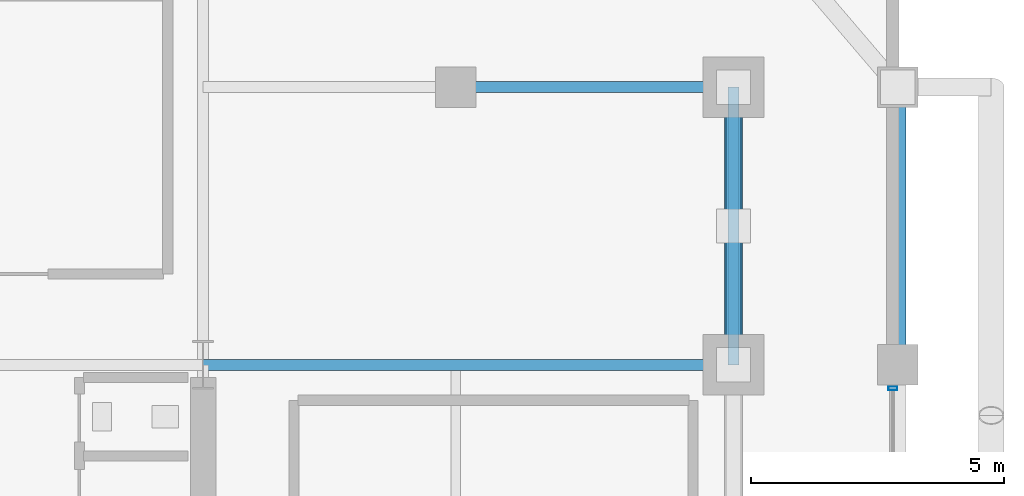
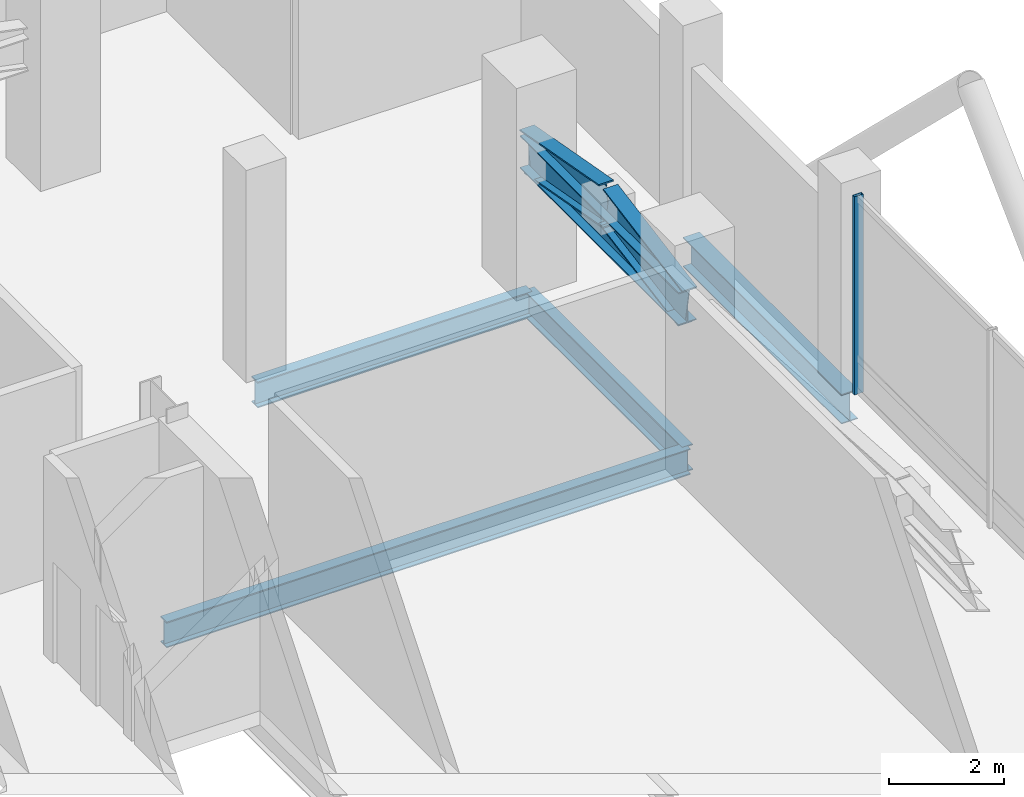
# One storey, part 17 of 22: 4 beams, 4 members, 1 element without a shape of its own.
"""IFC4 building model written with IfcOpenShell, lengths in metres."""

from ifc_helpers import new_model, si_unit, direction, frame, origin, origin_2d, place, context, subcontext, project, spatial, hollow_rectangle, i_section, extrude, material, layer, layer_set, material_profile, profile_set, type_object, element, aggregate, save


model = new_model("IFC4")

# Units and contexts
model_context = context("Model", 3, precision=1e-05, world=origin(), true_north=direction((0.0, 1.0)))
body_context = subcontext(model_context, "Body", "Model", "MODEL_VIEW")
ifc_project = project(units=[si_unit("LENGTHUNIT", "METRE"), si_unit("AREAUNIT", "SQUARE_METRE"), si_unit("VOLUMEUNIT", "CUBIC_METRE"), si_unit("PLANEANGLEUNIT", "RADIAN"), si_unit("MASSUNIT", "GRAM", prefix="KILO")], contexts=[model_context])

# Site, building, storey
site_placement = place(None, origin())
site = spatial("IfcSite", under=ifc_project, at=site_placement, CompositionType="ELEMENT")
building_placement = place(site_placement, origin())
building = spatial("IfcBuilding", under=site, at=building_placement, Name="Barlavira Tower and Art Museum", CompositionType="ELEMENT")
storey_placement = place(building_placement, frame((0.0, 0.0, 120.60009765625)))
storey = spatial("IfcBuildingStorey", under=building, at=storey_placement, Name="L30", CompositionType="ELEMENT", Elevation=120.60009765625)

# Members
ifc_material_1 = material(Name="Steel S355", Category="steel")
ifc_material_profile_1 = material_profile(ifc_material_1, i_section(OverallWidth=0.35595703125, OverallDepth=0.695068359375, WebThickness=0.014892578125, FlangeThickness=0.023681640625, at=origin_2d()), Name="W690x192.0")
ifc_profile_set_1 = profile_set([ifc_material_profile_1], Name="Steel S355")
member_type_1 = type_object("IfcMemberType", Name="Belt Truss Chord Member W690x192 Steel S355", PredefinedType="CHORD", material=ifc_profile_set_1)
member_1_placement = place(storey_placement, frame((17.0, 7.5, 2.64990234375), z_axis=(0.0, 1.0, 0.0), x_axis=(-1.0, 0.0, 0.0)))
element("IfcMember", 1, at=member_1_placement, inside=storey, type_object=member_type_1, Name="L30 Belt Truss Bottom Chord BE3", PredefinedType="CHORD", context=body_context, shape_type="SweptSolid", body=[
    extrude(i_section(OverallWidth=0.35595703125, OverallDepth=0.695068359375, WebThickness=0.014892578125, FlangeThickness=0.023681640625, at=origin_2d()), origin(), (0.0, 0.0, 1.0), 5.5),
])
ifc_material_profile_2 = material_profile(ifc_material_1, i_section(OverallWidth=0.2939453125, OverallDepth=0.85107421875, WebThickness=0.017333984375, FlangeThickness=0.0283203125, at=origin_2d()), Name="W840x251.0")
ifc_profile_set_2 = profile_set([ifc_material_profile_2], Name="Steel S355")
member_type_2 = type_object("IfcMemberType", Name="Belt Truss Diagonal Brace W840x251 Steel S355", PredefinedType="BRACE", material=ifc_profile_set_2)
for number, where, z_axis, x_axis, name in (
    (2, (17.0, 7.5, 2.64990234375), (0.0, 0.9838699101, 0.1788854382), (-1.0, 0.0, 0.0), "L30 Belt Truss Diagonal BE3-1"),
    (3, (17.0, 10.25, 3.14990234375), (0.0, 0.9838699101, -0.1788854382), (-1.0, 0.0, 0.0), "L30 Belt Truss Diagonal BE3-2"),
):
    element("IfcMember", number, at=place(storey_placement, frame(where, z_axis=z_axis, x_axis=x_axis)), inside=storey, type_object=member_type_2, Name=name, PredefinedType="BRACE", context=body_context, shape_type="SweptSolid", body=[
        extrude(i_section(OverallWidth=0.2939453125, OverallDepth=0.85107421875, WebThickness=0.017333984375, FlangeThickness=0.0283203125, at=origin_2d()), origin(), (0.0, 0.0, 1.0), 2.795166015625),
    ])

# Curtain wall, member
ifc_material_2 = material(Name="Low-iron coastal laminated glass", Category="glass")
ifc_layer = layer(ifc_material_2, 0.18994140625, Name="Low-iron coastal laminated glass")
ifc_layer_set = layer_set([ifc_layer], Name="Low-iron coastal laminated glass")
curtain_wall_type = type_object("IfcCurtainWallType", Name="Pale-Metal Unitised Curtain Wall Zone 2", PredefinedType="NOTDEFINED", material=ifc_layer_set)
curtain_wall_placement = place(storey_placement, origin())
curtain_wall = element("IfcCurtainWall", 4, at=curtain_wall_placement, inside=storey, type_object=curtain_wall_type, Name="L30 Curtain Wall CW2-L30-E-B3", PredefinedType="NOTDEFINED")
ifc_material_3 = material(Name="Pale anodised aluminium", Category="aluminium")
ifc_material_profile_3 = material_profile(ifc_material_3, hollow_rectangle(XDim=0.06494140625, YDim=0.179931640625, WallThickness=0.00390625, at=origin_2d()), Name="ALU-MULL 65x180x4")
ifc_profile_set_3 = profile_set([ifc_material_profile_3], Name="Pale anodised aluminium")
member_type_3 = type_object("IfcMemberType", Name="Curtain Wall Pale-Metal Mullion 65x180", PredefinedType="MULLION", material=ifc_profile_set_3)
member_2_placement = place(storey_placement, frame((20.14990234375, 7.034912109375, 0.0), z_axis=(0.0, 0.0, 1.0), x_axis=(0.0, 1.0, 0.0)))
member_2 = element("IfcMember", 5, at=member_2_placement, type_object=member_type_3, Name="CW2-L30-E-B3 Mullion 3", PredefinedType="MULLION", context=body_context, shape_type="SweptSolid", body=[
    extrude(hollow_rectangle(XDim=0.06494140625, YDim=0.179931640625, WallThickness=0.00390625, at=origin_2d()), origin(), (0.0, 0.0, 1.0), 4.199951171875),
])
aggregate(curtain_wall, [member_2])

# Beams
ifc_material_profile_4 = material_profile(ifc_material_1, i_section(OverallWidth=0.327880859375, OverallDepth=0.62890625, WebThickness=0.013916015625, FlangeThickness=0.021484375, at=origin_2d()), Name="W610x174.0")
ifc_profile_set_4 = profile_set([ifc_material_profile_4], Name="Steel S355")
beam_type_1 = type_object("IfcBeamType", Name="Perimeter Spandrel Edge Beam W610x174 Steel S355", PredefinedType="SPANDREL", material=ifc_profile_set_4)
beam_1_placement = place(storey_placement, frame((20.25, 7.5, -0.614501953125), z_axis=(0.0, 1.0, 0.0), x_axis=(-1.0, 0.0, 0.0)))
element("IfcBeam", 6, at=beam_1_placement, inside=storey, type_object=beam_type_1, Name="L30 Spandrel 7", PredefinedType="SPANDREL", context=body_context, shape_type="SweptSolid", body=[
    extrude(i_section(OverallWidth=0.327880859375, OverallDepth=0.62890625, WebThickness=0.013916015625, FlangeThickness=0.021484375, at=origin_2d()), origin(), (0.0, 0.0, 1.0), 5.5),
])
ifc_material_profile_5 = material_profile(ifc_material_1, i_section(OverallWidth=0.214111328125, OverallDepth=0.549072265625, WebThickness=0.0146484375, FlangeThickness=0.023681640625, at=origin_2d()), Name="W530x138.0")
ifc_profile_set_5 = profile_set([ifc_material_profile_5], Name="Steel S355")
beam_type_2 = type_object("IfcBeamType", Name="Zone 1 Primary Floor Girder W530x138 Steel S355", PredefinedType="BEAM", material=ifc_profile_set_5)
beam_2_placement = place(storey_placement, frame((17.0, 7.5, -0.57470703125), z_axis=(0.0, 1.0, 0.0), x_axis=(-1.0, 0.0, 0.0)))
element("IfcBeam", 7, at=beam_2_placement, inside=storey, type_object=beam_type_2, Name="L30 Girder M-E3", PredefinedType="BEAM", context=body_context, shape_type="SweptSolid", body=[
    extrude(i_section(OverallWidth=0.214111328125, OverallDepth=0.549072265625, WebThickness=0.0146484375, FlangeThickness=0.023681640625, at=origin_2d()), origin(), (0.0, 0.0, 1.0), 5.5),
])
beam_3_placement = place(storey_placement, frame((6.5, 7.5, -0.57470703125), z_axis=(1.0, 0.0, 0.0), x_axis=(0.0, 1.0, 0.0)))
element("IfcBeam", 8, at=beam_3_placement, inside=storey, type_object=beam_type_2, Name="L30 Girder R-E2", PredefinedType="BEAM", context=body_context, shape_type="SweptSolid", body=[
    extrude(i_section(OverallWidth=0.214111328125, OverallDepth=0.549072265625, WebThickness=0.0146484375, FlangeThickness=0.023681640625, at=origin_2d()), origin(), (0.0, 0.0, 1.0), 10.5),
])
beam_4_placement = place(storey_placement, frame((11.5, 13.0, -0.57470703125), z_axis=(1.0, 0.0, 0.0), x_axis=(0.0, 1.0, 0.0)))
element("IfcBeam", 9, at=beam_4_placement, inside=storey, type_object=beam_type_2, Name="L30 Girder I-N4", PredefinedType="BEAM", context=body_context, shape_type="SweptSolid", body=[
    extrude(i_section(OverallWidth=0.214111328125, OverallDepth=0.549072265625, WebThickness=0.0146484375, FlangeThickness=0.023681640625, at=origin_2d()), origin(), (0.0, 0.0, 1.0), 5.5),
])

save(model, "model.ifc")
